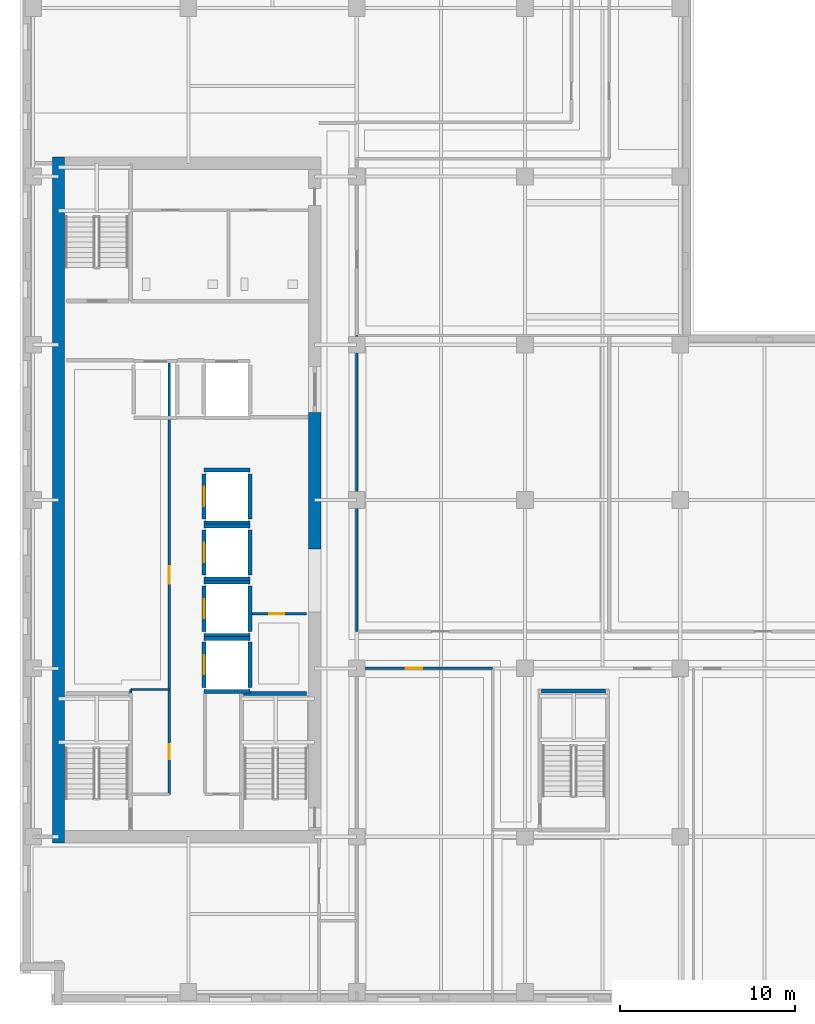
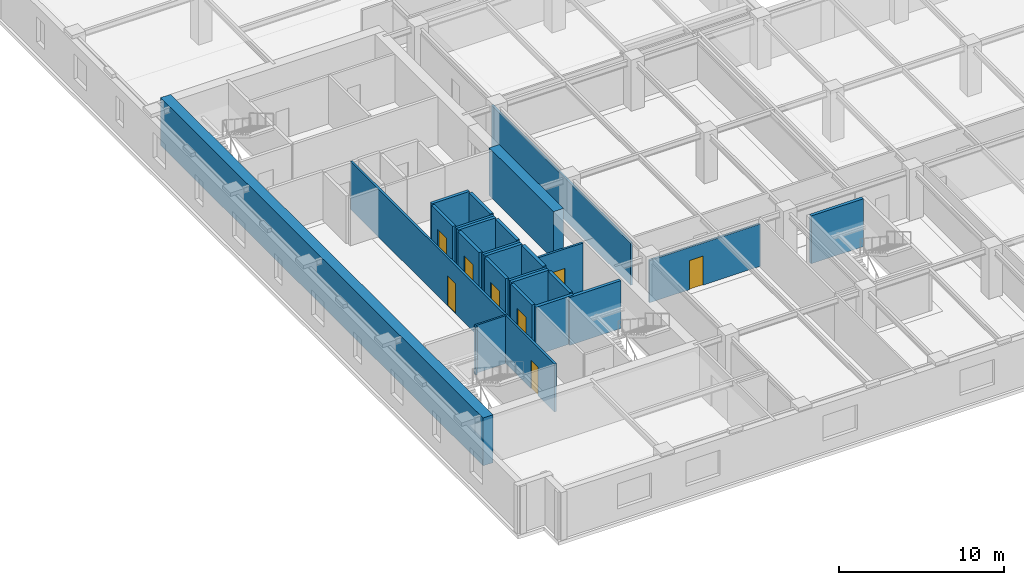
# One storey, part 5 of 13: 26 walls, 8 doors, 8 openings.
"""IFC4 building model written with IfcOpenShell, lengths in metres."""

from ifc_helpers import new_model, si_unit, direction, frame, frame_2d, origin, place, context, subcontext, project, spatial, rectangle, extrude, material, layer, layer_set, type_object, element, fill, save


model = new_model("IFC4")

# Units and contexts
model_context = context("Model", 3, precision=1e-05, world=origin(), true_north=direction((0.0, 1.0)))
body_context = subcontext(model_context, "Body", "Model", "MODEL_VIEW")
ifc_project = project(units=[si_unit("LENGTHUNIT", "METRE"), si_unit("AREAUNIT", "SQUARE_METRE"), si_unit("VOLUMEUNIT", "CUBIC_METRE"), si_unit("PLANEANGLEUNIT", "RADIAN"), si_unit("MASSUNIT", "GRAM", prefix="KILO")], contexts=[model_context])

# Site, building, storey
site_placement = place(None, origin())
site = spatial("IfcSite", under=ifc_project, at=site_placement, CompositionType="ELEMENT")
building_placement = place(site_placement, origin())
building = spatial("IfcBuilding", under=site, at=building_placement, Name="Norrvale University Quadrangle", CompositionType="ELEMENT")
storey_placement = place(building_placement, frame((0.0, 0.0, 163.60009765625)))
storey = spatial("IfcBuildingStorey", under=building, at=storey_placement, Name="L41", CompositionType="ELEMENT", Elevation=163.60009765625)

# Walls
ifc_material_1 = material(Name="Concrete C60/75", Category="concrete")
ifc_layer_1 = layer(ifc_material_1, 0.699951171875, Name="Concrete C60/75")
ifc_layer_set_1 = layer_set([ifc_layer_1], Name="Concrete C60/75")
wall_type_1 = type_object("IfcWallType", Name="Wall Core 700", PredefinedType="SHEAR", material=ifc_layer_set_1)
wall_1_placement = place(storey_placement, frame((2.199951171875, 9.25, 0.0), z_axis=(0.0, 0.0, 1.0), x_axis=(0.0, 1.0, 0.0)))
element("IfcWall", 1, at=wall_1_placement, inside=storey, type_object=wall_type_1, Name="Tower Core Shear Wall L41-W", PredefinedType="SHEAR", context=body_context, shape_type="SweptSolid", body=[
    extrude(rectangle(XDim=39.10009765625, YDim=0.699951171875, at=frame_2d((19.550048828125, 0.0))), origin(), (0.0, 0.0, 1.0), 3.539794921875),
])
wall_2_placement = place(storey_placement, frame((16.800048828125, 26.0, 0.0), z_axis=(0.0, 0.0, 1.0), x_axis=(0.0, 1.0, 0.0)))
element("IfcWall", 2, at=wall_2_placement, inside=storey, type_object=wall_type_1, Name="Tower Core Shear Wall L41-E2", PredefinedType="SHEAR", context=body_context, shape_type="SweptSolid", body=[
    extrude(rectangle(XDim=7.800048828125, YDim=0.699951171875, at=frame_2d((3.89990234375, 0.0))), origin(), (0.0, 0.0, 1.0), 3.539794921875),
])
ifc_material_2 = material(Name="Standard Academic Gypsum Partition")
ifc_layer_2 = layer(ifc_material_2, 0.125, Name="Standard Academic Gypsum Partition")
ifc_layer_set_2 = layer_set([ifc_layer_2], Name="Standard Academic Gypsum Partition")
wall_type_2 = type_object("IfcWallType", Name="Wall Gypsum Academic 125", PredefinedType="PARTITIONING", material=ifc_layer_set_2)
wall_3_placement = place(storey_placement, frame((6.320068359375, 17.800048828125, 0.0), z_axis=(0.0, 0.0, 1.0), x_axis=(0.0, 1.0, 0.0)))
element("IfcWall", 3, at=wall_3_placement, inside=storey, type_object=wall_type_2, Name="Interior Partition WL-L41-REC-L1", PredefinedType="PARTITIONING", context=body_context, shape_type="SweptSolid", body=[
    extrude(rectangle(XDim=0.199951171875, YDim=0.125, at=frame_2d((0.10009765625, 0.0))), origin(), (0.0, 0.0, 1.0), 3.539794921875),
])
wall_4_placement = place(storey_placement, frame((6.320068359375, 18.0, 0.0), z_axis=(0.0, 0.0, 1.0), x_axis=(1.0, 0.0, 0.0)))
element("IfcWall", 4, at=wall_4_placement, inside=storey, type_object=wall_type_2, Name="Interior Partition WL-L41-REC-L2", PredefinedType="PARTITIONING", context=body_context, shape_type="SweptSolid", body=[
    extrude(rectangle(XDim=2.199951171875, YDim=0.125, at=frame_2d((1.10009765625, 0.0))), origin(), (0.0, 0.0, 1.0), 3.539794921875),
])

# Wall, opening, door
ifc_material_3 = material(Name="Fire-Rated Gypsum Stud Partition")
ifc_layer_3 = layer(ifc_material_3, 0.14990234375, Name="Fire-Rated Gypsum Stud Partition")
ifc_layer_set_3 = layer_set([ifc_layer_3], Name="Fire-Rated Gypsum Stud Partition")
wall_type_3 = type_object("IfcWallType", Name="Wall Gypsum Corridor 150", PredefinedType="PARTITIONING", material=ifc_layer_set_3)
wall_5_placement = place(storey_placement, frame((13.22509765625, 22.320068359375, 0.0), z_axis=(0.0, 0.0, 1.0), x_axis=(1.0, 0.0, 0.0)))
wall_5 = element("IfcWall", 5, at=wall_5_placement, inside=storey, type_object=wall_type_3, Name="Interior Partition WL-L41-JAN-N", PredefinedType="PARTITIONING", context=body_context, shape_type="SweptSolid", body=[
    extrude(rectangle(XDim=3.119873046875, YDim=0.14990234375, at=frame_2d((1.56005859375, 0.0))), origin(), (0.0, 0.0, 1.0), 3.539794921875),
])
opening_1_placement = place(wall_5_placement, frame((1.0, 0.0, 0.0)))
opening_1 = element("IfcOpeningElement", 6, at=opening_1_placement, cuts=wall_5, Name="Opening D10", PredefinedType="OPENING", context=body_context, shape_type="SweptSolid", body=[
    extrude(rectangle(XDim=0.85009765625, YDim=2.10009765625, at=frame_2d((0.425048828125, 1.050048828125))), frame((0.0, 0.0869140625, 0.0), z_axis=(0.0, -1.0, 0.0), x_axis=(1.0, 0.0, 0.0)), (0.0, 0.0, 1.0), 0.173828125),
])
ifc_material_4 = material(Name="Hollow Steel 350W Riser Fire Door", Category="steel")
door_type_1 = type_object("IfcDoorType", Name="Door Riser 850x2100", OperationType="NOTDEFINED", PredefinedType="DOOR", material=ifc_material_4)
door_1_placement = place(opening_1_placement, origin())
door_1 = element("IfcDoor", 7, at=door_1_placement, inside=storey, type_object=door_type_1, Name="Door Riser 850x2100 DR-L41-JAN", OperationType="SINGLE_SWING_LEFT", OverallHeight=2.10009765625, OverallWidth=0.85009765625, PredefinedType="DOOR", context=body_context, shape_type="SweptSolid", body=[
    extrude(rectangle(XDim=0.85009765625, YDim=2.10009765625, at=frame_2d((0.425048828125, 1.050048828125))), frame((0.0, 0.02490234375, 0.0), z_axis=(0.0, -1.0, 0.0), x_axis=(1.0, 0.0, 0.0)), (0.0, 0.0, 1.0), 0.050048828125),
])
fill(opening_1, door_1)

# Wall, openings, doors
wall_6_placement = place(storey_placement, frame((8.52001953125, 12.02001953125, 0.0), z_axis=(0.0, 0.0, 1.0), x_axis=(0.0, 1.0, 0.0)))
wall_6 = element("IfcWall", 8, at=wall_6_placement, inside=storey, type_object=wall_type_3, Name="Interior Partition WL-L41-REC-E", PredefinedType="PARTITIONING", context=body_context, shape_type="SweptSolid", body=[
    extrude(rectangle(XDim=24.760009765625, YDim=0.14990234375, at=frame_2d((12.3798828125, 0.0))), origin(), (0.0, 0.0, 1.0), 3.539794921875),
])
opening_2_placement = place(wall_6_placement, frame((2.0, 0.0, 0.0)))
opening_2 = element("IfcOpeningElement", 9, at=opening_2_placement, cuts=wall_6, Name="Opening D10", PredefinedType="OPENING", context=body_context, shape_type="SweptSolid", body=[
    extrude(rectangle(XDim=0.85009765625, YDim=2.10009765625, at=frame_2d((0.425048828125, 1.050048828125))), frame((0.0, 0.0869140625, 0.0), z_axis=(0.0, -1.0, 0.0), x_axis=(1.0, 0.0, 0.0)), (0.0, 0.0, 1.0), 0.173828125),
])
opening_3_placement = place(wall_6_placement, frame((12.0, 0.0, 0.0)))
opening_3 = element("IfcOpeningElement", 10, at=opening_3_placement, cuts=wall_6, Name="Opening D04", PredefinedType="OPENING", context=body_context, shape_type="SweptSolid", body=[
    extrude(rectangle(XDim=1.0, YDim=2.199951171875, at=frame_2d((0.5, 1.10009765625))), frame((0.0, 0.0869140625, 0.0), z_axis=(0.0, -1.0, 0.0), x_axis=(1.0, 0.0, 0.0)), (0.0, 0.0, 1.0), 0.173828125),
])
ifc_material_5 = material(Name="Solid-Core Oak Fire Door", Category="wood")
door_type_2 = type_object("IfcDoorType", Name="Door Corridor 1000x2200", OperationType="NOTDEFINED", PredefinedType="DOOR", material=ifc_material_5)
door_2_placement = place(opening_3_placement, origin())
door_2 = element("IfcDoor", 11, at=door_2_placement, inside=storey, type_object=door_type_2, Name="Door Corridor 1000x2200 DR-L41-REC2", OperationType="SINGLE_SWING_RIGHT", OverallHeight=2.199951171875, OverallWidth=1.0, PredefinedType="DOOR", context=body_context, shape_type="SweptSolid", body=[
    extrude(rectangle(XDim=1.0, YDim=2.199951171875, at=frame_2d((0.5, 1.10009765625))), frame((0.0, 0.02490234375, 0.0), z_axis=(0.0, -1.0, 0.0), x_axis=(1.0, 0.0, 0.0)), (0.0, 0.0, 1.0), 0.050048828125),
])
fill(opening_3, door_2)
door_3_placement = place(opening_2_placement, origin())
door_3 = element("IfcDoor", 12, at=door_3_placement, inside=storey, type_object=door_type_1, Name="Door Riser 850x2100 DR-L41-REC1", OperationType="SINGLE_SWING_LEFT", OverallHeight=2.10009765625, OverallWidth=0.85009765625, PredefinedType="DOOR", context=body_context, shape_type="SweptSolid", body=[
    extrude(rectangle(XDim=0.85009765625, YDim=2.10009765625, at=frame_2d((0.425048828125, 1.050048828125))), frame((0.0, 0.02490234375, 0.0), z_axis=(0.0, -1.0, 0.0), x_axis=(1.0, 0.0, 0.0)), (0.0, 0.0, 1.0), 0.050048828125),
])
fill(opening_2, door_3)

# Wall, opening, door
wall_7_placement = place(storey_placement, frame((19.199951171875, 19.199951171875, 0.0), z_axis=(0.0, 0.0, 1.0), x_axis=(1.0, 0.0, 0.0)))
wall_7 = element("IfcWall", 13, at=wall_7_placement, inside=storey, type_object=wall_type_3, Name="Interior Partition WL-L41-SEW1", PredefinedType="PARTITIONING", context=body_context, shape_type="SweptSolid", body=[
    extrude(rectangle(XDim=7.75, YDim=0.14990234375, at=frame_2d((3.875, 0.0))), origin(), (0.0, 0.0, 1.0), 3.122802734375),
])
opening_4_placement = place(wall_7_placement, frame((2.800048828125, 0.0, 0.0)))
opening_4 = element("IfcOpeningElement", 14, at=opening_4_placement, cuts=wall_7, Name="Opening D07", PredefinedType="OPENING", context=body_context, shape_type="SweptSolid", body=[
    extrude(rectangle(XDim=0.949951171875, YDim=2.14990234375, at=frame_2d((0.47509765625, 1.074951171875))), frame((0.0, 0.0869140625, 0.0), z_axis=(0.0, -1.0, 0.0), x_axis=(1.0, 0.0, 0.0)), (0.0, 0.0, 1.0), 0.173828125),
])
ifc_material_6 = material(Name="Solid-Core Maple Door", Category="wood")
door_type_3 = type_object("IfcDoorType", Name="Door Office 950x2150", OperationType="NOTDEFINED", PredefinedType="DOOR", material=ifc_material_6)
door_4_placement = place(opening_4_placement, origin())
door_4 = element("IfcDoor", 15, at=door_4_placement, inside=storey, type_object=door_type_3, Name="Door Office 950x2150 DR-L41-SE1", OperationType="SINGLE_SWING_LEFT", OverallHeight=2.14990234375, OverallWidth=0.949951171875, PredefinedType="DOOR", context=body_context, shape_type="SweptSolid", body=[
    extrude(rectangle(XDim=0.949951171875, YDim=2.14990234375, at=frame_2d((0.47509765625, 1.074951171875))), frame((0.0, 0.02490234375, 0.0), z_axis=(0.0, -1.0, 0.0), x_axis=(1.0, 0.0, 0.0)), (0.0, 0.0, 1.0), 0.050048828125),
])
fill(opening_4, door_4)

# Walls
wall_8_placement = place(storey_placement, frame((19.199951171875, 21.300048828125, 0.0), z_axis=(0.0, 0.0, 1.0), x_axis=(0.0, 1.0, 0.0)))
element("IfcWall", 16, at=wall_8_placement, inside=storey, type_object=wall_type_3, Name="Interior Partition WL-L41-ME-W", PredefinedType="PARTITIONING", context=body_context, shape_type="SweptSolid", body=[
    extrude(rectangle(XDim=16.8798828125, YDim=0.14990234375, at=frame_2d((8.43994140625, 0.0))), origin(), (0.0, 0.0, 1.0), 3.122802734375),
])
ifc_material_7 = material(Name="Concrete Blockwork 20 MPa Fire Shaft", Category="masonry")
ifc_layer_4 = layer(ifc_material_7, 0.219970703125, Name="Concrete Blockwork 20 MPa Fire Shaft")
ifc_layer_set_4 = layer_set([ifc_layer_4], Name="Concrete Blockwork 20 MPa Fire Shaft")
wall_type_4 = type_object("IfcWallType", Name="Wall Shaft 220", PredefinedType="SOLIDWALL", material=ifc_layer_set_4)
wall_9_placement = place(storey_placement, frame((12.75, 17.760009765625, 0.0), z_axis=(0.0, 0.0, 1.0), x_axis=(1.0, 0.0, 0.0)))
element("IfcWall", 17, at=wall_9_placement, inside=storey, type_object=wall_type_4, Name="Stair ST-03 North Shaft Wall L41", PredefinedType="SOLIDWALL", context=body_context, shape_type="SweptSolid", body=[
    extrude(rectangle(XDim=3.60009765625, YDim=0.219970703125, at=frame_2d((1.800048828125, 0.0))), origin(), (0.0, 0.0, 1.0), 3.539794921875),
])
wall_10_placement = place(storey_placement, frame((29.75, 17.909912109375, 0.0), z_axis=(0.0, 0.0, 1.0), x_axis=(1.0, 0.0, 0.0)))
element("IfcWall", 18, at=wall_10_placement, inside=storey, type_object=wall_type_4, Name="Stair ST-04 North Shaft Wall L41", PredefinedType="SOLIDWALL", context=body_context, shape_type="SweptSolid", body=[
    extrude(rectangle(XDim=3.64990234375, YDim=0.219970703125, at=frame_2d((1.824951171875, 0.0))), origin(), (0.0, 0.0, 1.0), 3.539794921875),
])

# Wall, opening, door
wall_11_placement = place(storey_placement, frame((10.489990234375, 18.110107421875, 0.0), z_axis=(0.0, 0.0, 1.0), x_axis=(0.0, 1.0, 0.0)))
wall_11 = element("IfcWall", 19, at=wall_11_placement, inside=storey, type_object=wall_type_4, Name="Hoistway PL-05 West Wall L41", PredefinedType="SOLIDWALL", context=body_context, shape_type="SweptSolid", body=[
    extrude(rectangle(XDim=2.579833984375, YDim=0.219970703125, at=frame_2d((1.2900390625, 0.0))), origin(), (0.0, 0.0, 1.0), 3.539794921875),
])
opening_5_placement = place(wall_11_placement, frame((0.739990234375, 0.0, 0.0)))
opening_5 = element("IfcOpeningElement", 20, at=opening_5_placement, cuts=wall_11, Name="Opening LD1", PredefinedType="OPENING", context=body_context, shape_type="SweptSolid", body=[
    extrude(rectangle(XDim=1.10009765625, YDim=2.199951171875, at=frame_2d((0.550048828125, 1.10009765625))), frame((0.0, 0.1220703125, 0.0), z_axis=(0.0, -1.0, 0.0), x_axis=(1.0, 0.0, 0.0)), (0.0, 0.0, 1.0), 0.243896484375),
])
ifc_material_8 = material(Name="Stainless Steel 316L Lift Landing Door", Category="steel")
door_type_4 = type_object("IfcDoorType", Name="Door Lift Landing 1100x2200", OperationType="DOUBLE_DOOR_SLIDING", PredefinedType="DOOR", material=ifc_material_8)
door_5_placement = place(opening_5_placement, origin())
door_5 = element("IfcDoor", 21, at=door_5_placement, inside=storey, type_object=door_type_4, Name="Elevator Landing Door DR-L41-PL-05", OperationType="DOUBLE_DOOR_SLIDING", OverallHeight=2.199951171875, OverallWidth=1.10009765625, PredefinedType="DOOR", context=body_context, shape_type="SweptSolid", body=[
    extrude(rectangle(XDim=1.10009765625, YDim=2.199951171875, at=frame_2d((0.550048828125, 1.10009765625))), frame((0.0, 0.02490234375, 0.0), z_axis=(0.0, -1.0, 0.0), x_axis=(1.0, 0.0, 0.0)), (0.0, 0.0, 1.0), 0.050048828125),
])
fill(opening_5, door_5)

# Walls
wall_12_placement = place(storey_placement, frame((13.110107421875, 18.110107421875, 0.0), z_axis=(0.0, 0.0, 1.0), x_axis=(0.0, 1.0, 0.0)))
element("IfcWall", 22, at=wall_12_placement, inside=storey, type_object=wall_type_4, Name="Hoistway PL-05 East Wall L41", PredefinedType="SOLIDWALL", context=body_context, shape_type="SweptSolid", body=[
    extrude(rectangle(XDim=2.579833984375, YDim=0.219970703125, at=frame_2d((1.2900390625, 0.0))), origin(), (0.0, 0.0, 1.0), 3.539794921875),
])
for number, where, z_axis, x_axis, name in (
    (23, (10.489990234375, 17.889892578125, 0.0), (0.0, 0.0, 1.0), (1.0, 0.0, 0.0), "Hoistway PL-05 South Wall L41"),
    (24, (10.489990234375, 20.909912109375, 0.0), (0.0, 0.0, 1.0), (1.0, 0.0, 0.0), "Hoistway PL-05 North Wall L41"),
):
    element("IfcWall", number, at=place(storey_placement, frame(where, z_axis=z_axis, x_axis=x_axis)), inside=storey, type_object=wall_type_4, Name=name, PredefinedType="SOLIDWALL", context=body_context, shape_type="SweptSolid", body=[
        extrude(rectangle(XDim=2.6201171875, YDim=0.219970703125, at=frame_2d((1.31005859375, 0.0))), origin(), (0.0, 0.0, 1.0), 3.539794921875),
    ])

# Wall, opening, door
wall_13_placement = place(storey_placement, frame((10.489990234375, 21.31005859375, 0.0), z_axis=(0.0, 0.0, 1.0), x_axis=(0.0, 1.0, 0.0)))
wall_13 = element("IfcWall", 25, at=wall_13_placement, inside=storey, type_object=wall_type_4, Name="Hoistway PL-06 West Wall L41", PredefinedType="SOLIDWALL", context=body_context, shape_type="SweptSolid", body=[
    extrude(rectangle(XDim=2.579833984375, YDim=0.219970703125, at=frame_2d((1.2900390625, 0.0))), origin(), (0.0, 0.0, 1.0), 3.539794921875),
])
opening_6_placement = place(wall_13_placement, frame((0.739990234375, 0.0, 0.0)))
opening_6 = element("IfcOpeningElement", 26, at=opening_6_placement, cuts=wall_13, Name="Opening LD1", PredefinedType="OPENING", context=body_context, shape_type="SweptSolid", body=[
    extrude(rectangle(XDim=1.10009765625, YDim=2.199951171875, at=frame_2d((0.550048828125, 1.10009765625))), frame((0.0, 0.1220703125, 0.0), z_axis=(0.0, -1.0, 0.0), x_axis=(1.0, 0.0, 0.0)), (0.0, 0.0, 1.0), 0.243896484375),
])
door_6_placement = place(opening_6_placement, origin())
door_6 = element("IfcDoor", 27, at=door_6_placement, inside=storey, type_object=door_type_4, Name="Elevator Landing Door DR-L41-PL-06", OperationType="DOUBLE_DOOR_SLIDING", OverallHeight=2.199951171875, OverallWidth=1.10009765625, PredefinedType="DOOR", context=body_context, shape_type="SweptSolid", body=[
    extrude(rectangle(XDim=1.10009765625, YDim=2.199951171875, at=frame_2d((0.550048828125, 1.10009765625))), frame((0.0, 0.02490234375, 0.0), z_axis=(0.0, -1.0, 0.0), x_axis=(1.0, 0.0, 0.0)), (0.0, 0.0, 1.0), 0.050048828125),
])
fill(opening_6, door_6)

# Walls
wall_14_placement = place(storey_placement, frame((13.110107421875, 21.31005859375, 0.0), z_axis=(0.0, 0.0, 1.0), x_axis=(0.0, 1.0, 0.0)))
element("IfcWall", 28, at=wall_14_placement, inside=storey, type_object=wall_type_4, Name="Hoistway PL-06 East Wall L41", PredefinedType="SOLIDWALL", context=body_context, shape_type="SweptSolid", body=[
    extrude(rectangle(XDim=2.579833984375, YDim=0.219970703125, at=frame_2d((1.2900390625, 0.0))), origin(), (0.0, 0.0, 1.0), 3.539794921875),
])
for number, where, z_axis, x_axis, name in (
    (29, (10.489990234375, 21.090087890625, 0.0), (0.0, 0.0, 1.0), (1.0, 0.0, 0.0), "Hoistway PL-06 South Wall L41"),
    (30, (10.489990234375, 24.110107421875, 0.0), (0.0, 0.0, 1.0), (1.0, 0.0, 0.0), "Hoistway PL-06 North Wall L41"),
):
    element("IfcWall", number, at=place(storey_placement, frame(where, z_axis=z_axis, x_axis=x_axis)), inside=storey, type_object=wall_type_4, Name=name, PredefinedType="SOLIDWALL", context=body_context, shape_type="SweptSolid", body=[
        extrude(rectangle(XDim=2.6201171875, YDim=0.219970703125, at=frame_2d((1.31005859375, 0.0))), origin(), (0.0, 0.0, 1.0), 3.539794921875),
    ])

# Wall, opening, door
wall_15_placement = place(storey_placement, frame((10.489990234375, 24.510009765625, 0.0), z_axis=(0.0, 0.0, 1.0), x_axis=(0.0, 1.0, 0.0)))
wall_15 = element("IfcWall", 31, at=wall_15_placement, inside=storey, type_object=wall_type_4, Name="Hoistway PL-07 West Wall L41", PredefinedType="SOLIDWALL", context=body_context, shape_type="SweptSolid", body=[
    extrude(rectangle(XDim=2.580078125, YDim=0.219970703125, at=frame_2d((1.2900390625, 0.0))), origin(), (0.0, 0.0, 1.0), 3.539794921875),
])
opening_7_placement = place(wall_15_placement, frame((0.739990234375, 0.0, 0.0)))
opening_7 = element("IfcOpeningElement", 32, at=opening_7_placement, cuts=wall_15, Name="Opening LD1", PredefinedType="OPENING", context=body_context, shape_type="SweptSolid", body=[
    extrude(rectangle(XDim=1.10009765625, YDim=2.199951171875, at=frame_2d((0.550048828125, 1.10009765625))), frame((0.0, 0.1220703125, 0.0), z_axis=(0.0, -1.0, 0.0), x_axis=(1.0, 0.0, 0.0)), (0.0, 0.0, 1.0), 0.243896484375),
])
door_7_placement = place(opening_7_placement, origin())
door_7 = element("IfcDoor", 33, at=door_7_placement, inside=storey, type_object=door_type_4, Name="Elevator Landing Door DR-L41-PL-07", OperationType="DOUBLE_DOOR_SLIDING", OverallHeight=2.199951171875, OverallWidth=1.10009765625, PredefinedType="DOOR", context=body_context, shape_type="SweptSolid", body=[
    extrude(rectangle(XDim=1.10009765625, YDim=2.199951171875, at=frame_2d((0.550048828125, 1.10009765625))), frame((0.0, 0.02490234375, 0.0), z_axis=(0.0, -1.0, 0.0), x_axis=(1.0, 0.0, 0.0)), (0.0, 0.0, 1.0), 0.050048828125),
])
fill(opening_7, door_7)

# Walls
wall_16_placement = place(storey_placement, frame((13.110107421875, 24.510009765625, 0.0), z_axis=(0.0, 0.0, 1.0), x_axis=(0.0, 1.0, 0.0)))
element("IfcWall", 34, at=wall_16_placement, inside=storey, type_object=wall_type_4, Name="Hoistway PL-07 East Wall L41", PredefinedType="SOLIDWALL", context=body_context, shape_type="SweptSolid", body=[
    extrude(rectangle(XDim=2.580078125, YDim=0.219970703125, at=frame_2d((1.2900390625, 0.0))), origin(), (0.0, 0.0, 1.0), 3.539794921875),
])
for number, where, z_axis, x_axis, name in (
    (35, (10.489990234375, 24.2900390625, 0.0), (0.0, 0.0, 1.0), (1.0, 0.0, 0.0), "Hoistway PL-07 South Wall L41"),
    (36, (10.489990234375, 27.31005859375, 0.0), (0.0, 0.0, 1.0), (1.0, 0.0, 0.0), "Hoistway PL-07 North Wall L41"),
):
    element("IfcWall", number, at=place(storey_placement, frame(where, z_axis=z_axis, x_axis=x_axis)), inside=storey, type_object=wall_type_4, Name=name, PredefinedType="SOLIDWALL", context=body_context, shape_type="SweptSolid", body=[
        extrude(rectangle(XDim=2.6201171875, YDim=0.219970703125, at=frame_2d((1.31005859375, 0.0))), origin(), (0.0, 0.0, 1.0), 3.539794921875),
    ])

# Wall, opening, door
wall_17_placement = place(storey_placement, frame((10.489990234375, 27.7099609375, 0.0), z_axis=(0.0, 0.0, 1.0), x_axis=(0.0, 1.0, 0.0)))
wall_17 = element("IfcWall", 37, at=wall_17_placement, inside=storey, type_object=wall_type_4, Name="Hoistway PL-08 West Wall L41", PredefinedType="SOLIDWALL", context=body_context, shape_type="SweptSolid", body=[
    extrude(rectangle(XDim=2.580078125, YDim=0.219970703125, at=frame_2d((1.2900390625, 0.0))), origin(), (0.0, 0.0, 1.0), 3.539794921875),
])
opening_8_placement = place(wall_17_placement, frame((0.739990234375, 0.0, 0.0)))
opening_8 = element("IfcOpeningElement", 38, at=opening_8_placement, cuts=wall_17, Name="Opening LD1", PredefinedType="OPENING", context=body_context, shape_type="SweptSolid", body=[
    extrude(rectangle(XDim=1.10009765625, YDim=2.199951171875, at=frame_2d((0.550048828125, 1.10009765625))), frame((0.0, 0.1220703125, 0.0), z_axis=(0.0, -1.0, 0.0), x_axis=(1.0, 0.0, 0.0)), (0.0, 0.0, 1.0), 0.243896484375),
])
door_8_placement = place(opening_8_placement, origin())
door_8 = element("IfcDoor", 39, at=door_8_placement, inside=storey, type_object=door_type_4, Name="Elevator Landing Door DR-L41-PL-08", OperationType="DOUBLE_DOOR_SLIDING", OverallHeight=2.199951171875, OverallWidth=1.10009765625, PredefinedType="DOOR", context=body_context, shape_type="SweptSolid", body=[
    extrude(rectangle(XDim=1.10009765625, YDim=2.199951171875, at=frame_2d((0.550048828125, 1.10009765625))), frame((0.0, 0.02490234375, 0.0), z_axis=(0.0, -1.0, 0.0), x_axis=(1.0, 0.0, 0.0)), (0.0, 0.0, 1.0), 0.050048828125),
])
fill(opening_8, door_8)

# Walls
wall_18_placement = place(storey_placement, frame((13.110107421875, 27.7099609375, 0.0), z_axis=(0.0, 0.0, 1.0), x_axis=(0.0, 1.0, 0.0)))
element("IfcWall", 40, at=wall_18_placement, inside=storey, type_object=wall_type_4, Name="Hoistway PL-08 East Wall L41", PredefinedType="SOLIDWALL", context=body_context, shape_type="SweptSolid", body=[
    extrude(rectangle(XDim=2.580078125, YDim=0.219970703125, at=frame_2d((1.2900390625, 0.0))), origin(), (0.0, 0.0, 1.0), 3.539794921875),
])
for number, where, z_axis, x_axis, name in (
    (41, (10.489990234375, 27.489990234375, 0.0), (0.0, 0.0, 1.0), (1.0, 0.0, 0.0), "Hoistway PL-08 South Wall L41"),
    (42, (10.489990234375, 30.510009765625, 0.0), (0.0, 0.0, 1.0), (1.0, 0.0, 0.0), "Hoistway PL-08 North Wall L41"),
):
    element("IfcWall", number, at=place(storey_placement, frame(where, z_axis=z_axis, x_axis=x_axis)), inside=storey, type_object=wall_type_4, Name=name, PredefinedType="SOLIDWALL", context=body_context, shape_type="SweptSolid", body=[
        extrude(rectangle(XDim=2.6201171875, YDim=0.219970703125, at=frame_2d((1.31005859375, 0.0))), origin(), (0.0, 0.0, 1.0), 3.539794921875),
    ])

save(model, "model.ifc")
